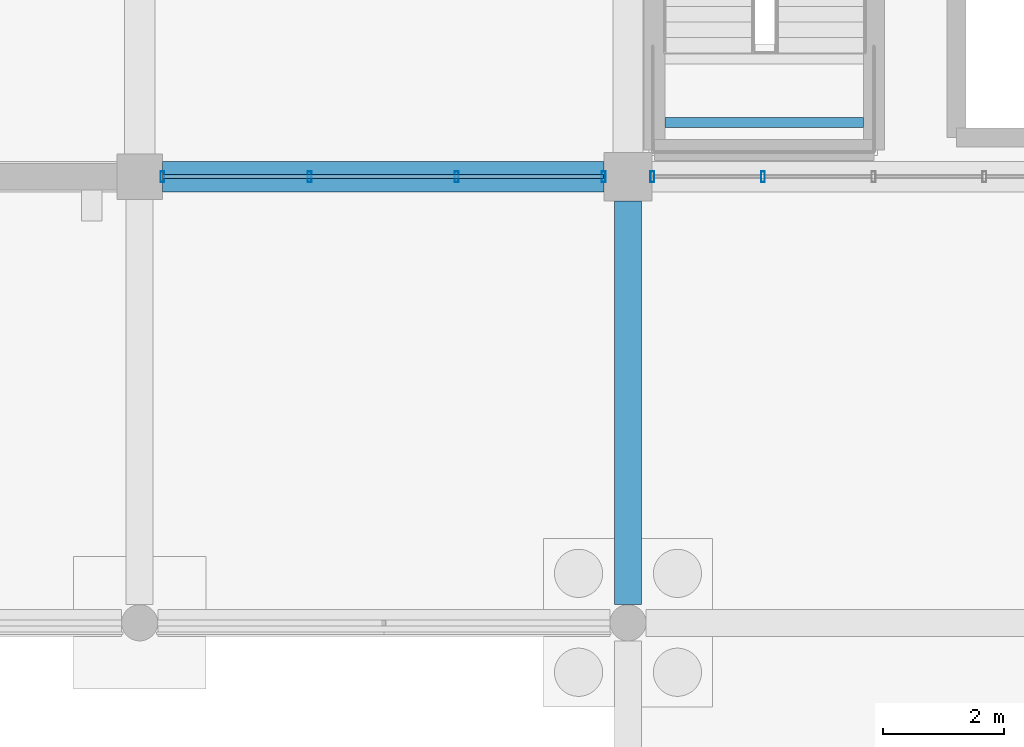
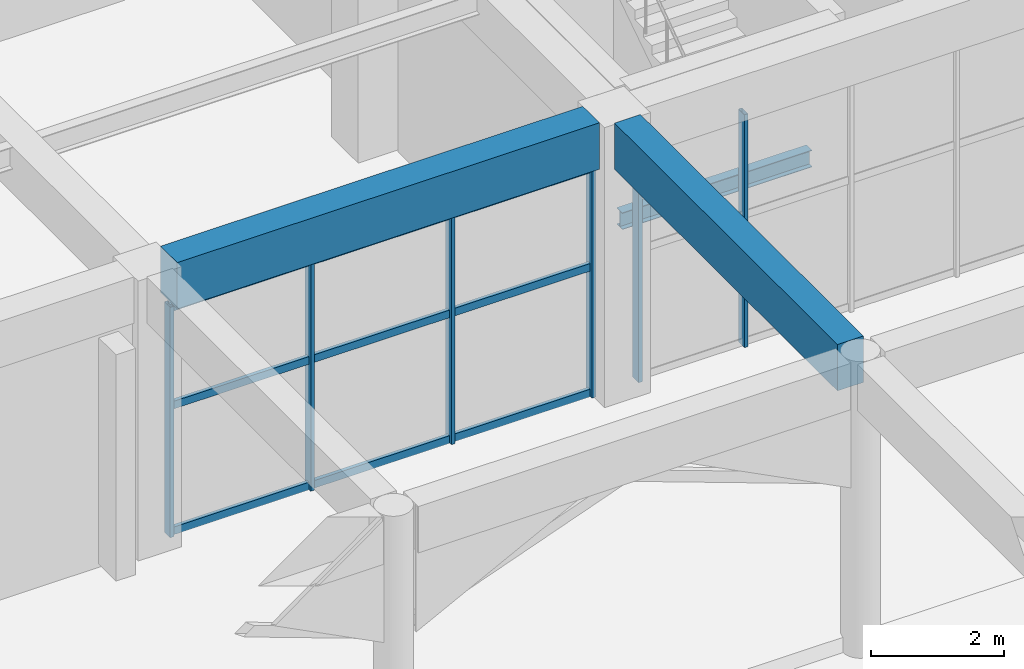
# One storey, part 28 of 140: 9 members, 3 beams, 2 elements without a shape of their own.
"""IFC4 building model written with IfcOpenShell, lengths in metres."""

from ifc_helpers import new_model, si_unit, direction, frame, origin, origin_2d, place, context, subcontext, project, spatial, rectangle, hollow_rectangle, i_section, extrude, material, material_profile, profile_set, type_object, element, aggregate, save


model = new_model("IFC4")

# Units and contexts
model_context = context("Model", 3, precision=1e-05, world=origin(), true_north=direction((0.0, 1.0)))
body_context = subcontext(model_context, "Body", "Model", "MODEL_VIEW")
ifc_project = project(units=[si_unit("LENGTHUNIT", "METRE"), si_unit("AREAUNIT", "SQUARE_METRE"), si_unit("VOLUMEUNIT", "CUBIC_METRE"), si_unit("PLANEANGLEUNIT", "RADIAN"), si_unit("MASSUNIT", "GRAM", prefix="KILO")], contexts=[model_context])

# Site, building, storey
site_placement = place(None, origin())
site = spatial("IfcSite", under=ifc_project, at=site_placement, CompositionType="ELEMENT")
building_placement = place(site_placement, origin())
building = spatial("IfcBuilding", under=site, at=building_placement, Name="Cimatlan Art Gallery", CompositionType="ELEMENT")
storey_placement = place(building_placement, origin())
storey = spatial("IfcBuildingStorey", under=building, at=storey_placement, Name="L00", CompositionType="ELEMENT", Elevation=0.0)

# Beams
ifc_material_1 = material(Name="Concrete C40/50", Category="concrete")
ifc_material_profile_1 = material_profile(ifc_material_1, rectangle(XDim=0.449951171875, YDim=0.85009765625, at=origin_2d()), Name="RC450X850")
ifc_profile_set_1 = profile_set([ifc_material_profile_1], Name="Concrete C40/50")
beam_type_1 = type_object("IfcBeamType", Name="BM-ARC-450X850", PredefinedType="SPANDREL", material=ifc_profile_set_1)
beam_1_placement = place(storey_placement, frame((74.89990234375, 16.800048828125, 4.735107421875), z_axis=(0.0, 1.0, 0.0), x_axis=(-1.0, 0.0, 0.0)))
element("IfcBeam", 1, at=beam_1_placement, inside=storey, type_object=beam_type_1, Name="BM-ARC-Y-09-02", PredefinedType="SPANDREL", context=body_context, shape_type="SweptSolid", body=[
    extrude(rectangle(XDim=0.449951171875, YDim=0.85009765625, at=origin_2d()), origin(), (0.0, 0.0, 1.0), 6.699951171875),
])
ifc_material_profile_2 = material_profile(ifc_material_1, rectangle(XDim=0.5, YDim=0.85009765625, at=origin_2d()), Name="RC500X850")
ifc_profile_set_2 = profile_set([ifc_material_profile_2], Name="Concrete C40/50")
beam_type_2 = type_object("IfcBeamType", Name="BM-RC-500X850", PredefinedType="BEAM", material=ifc_profile_set_2)
beam_2_placement = place(storey_placement, frame((67.175048828125, 23.89990234375, 4.7099609375), z_axis=(1.0, 0.0, 0.0), x_axis=(0.0, 1.0, 0.0)))
element("IfcBeam", 2, at=beam_2_placement, inside=storey, type_object=beam_type_2, Name="BM-X-L00-08-03", PredefinedType="BEAM", context=body_context, shape_type="SweptSolid", body=[
    extrude(rectangle(XDim=0.5, YDim=0.85009765625, at=origin_2d()), origin(), (0.0, 0.0, 1.0), 7.324951171875),
])
ifc_material_2 = material(Name="Steel ASTM A992 Grade 50", Category="steel")
ifc_material_profile_3 = material_profile(ifc_material_2, i_section(OverallWidth=0.1650390625, OverallDepth=0.31005859375, WebThickness=0.005859375, FlangeThickness=0.009765625, at=origin_2d()), Name="W12X26")
ifc_profile_set_3 = profile_set([ifc_material_profile_3], Name="Steel ASTM A992 Grade 50")
beam_type_3 = type_object("IfcBeamType", Name="BM-STL-W12X26", PredefinedType="JOIST", material=ifc_profile_set_3)
beam_3_placement = place(storey_placement, frame((75.514892578125, 24.800048828125, 2.324951171875), z_axis=(1.0, 0.0, 0.0), x_axis=(0.0, 1.0, 0.0)))
element("IfcBeam", 3, at=beam_3_placement, inside=storey, type_object=beam_type_3, Name="BM-STR-C3-L00-LH1", PredefinedType="JOIST", context=body_context, shape_type="SweptSolid", body=[
    extrude(i_section(OverallWidth=0.1650390625, OverallDepth=0.31005859375, WebThickness=0.005859375, FlangeThickness=0.009765625, at=origin_2d()), origin(), (0.0, 0.0, 1.0), 3.2900390625),
])

# Curtain wall, members
ifc_material_3 = material(Name="Anodised bronze unitised curtain wall")
curtain_wall_type_1 = type_object("IfcCurtainWallType", Name="CW-V-07317X04225-B3", PredefinedType="NOTDEFINED", material=ifc_material_3)
curtain_wall_1_placement = place(storey_placement, origin())
curtain_wall_1 = element("IfcCurtainWall", 4, at=curtain_wall_1_placement, inside=storey, type_object=curtain_wall_type_1, Name="CW-L00-08-03-S", PredefinedType="NOTDEFINED")
ifc_material_4 = material(Name="Anodised bronze aluminium 6063-T6", Category="aluminium")
ifc_material_profile_4 = material_profile(ifc_material_4, hollow_rectangle(XDim=0.06494140625, YDim=0.179931640625, WallThickness=0.00390625, at=origin_2d()), Name="ALU65X180X4")
ifc_profile_set_4 = profile_set([ifc_material_profile_4], Name="Anodised bronze aluminium 6063-T6")
member_type_1 = type_object("IfcMemberType", Name="CW-MUL-180", PredefinedType="MULLION", material=ifc_profile_set_4)
member_1_placement = place(storey_placement, frame((74.49609375, 23.89990234375, 0.0), z_axis=(0.0, 0.0, 1.0), x_axis=(1.0, 0.0, 0.0)))
member_1 = element("IfcMember", 5, at=member_1_placement, type_object=member_type_1, Name="CW-L00-08-03-S-M1", PredefinedType="MULLION", context=body_context, shape_type="SweptSolid", body=[
    extrude(hollow_rectangle(XDim=0.06494140625, YDim=0.179931640625, WallThickness=0.00390625, at=origin_2d()), origin(), (0.0, 0.0, 1.0), 4.22509765625),
])
member_2_placement = place(storey_placement, frame((72.056884765625, 23.89990234375, 0.0), z_axis=(0.0, 0.0, 1.0), x_axis=(1.0, 0.0, 0.0)))
member_2 = element("IfcMember", 6, at=member_2_placement, type_object=member_type_1, Name="CW-L00-08-03-S-M2", PredefinedType="MULLION", context=body_context, shape_type="SweptSolid", body=[
    extrude(hollow_rectangle(XDim=0.06494140625, YDim=0.179931640625, WallThickness=0.00390625, at=origin_2d()), origin(), (0.0, 0.0, 1.0), 4.22509765625),
])
member_3_placement = place(storey_placement, frame((69.617919921875, 23.89990234375, 0.0), z_axis=(0.0, 0.0, 1.0), x_axis=(1.0, 0.0, 0.0)))
member_3 = element("IfcMember", 7, at=member_3_placement, type_object=member_type_1, Name="CW-L00-08-03-S-M3", PredefinedType="MULLION", context=body_context, shape_type="SweptSolid", body=[
    extrude(hollow_rectangle(XDim=0.06494140625, YDim=0.179931640625, WallThickness=0.00390625, at=origin_2d()), origin(), (0.0, 0.0, 1.0), 4.22509765625),
])
member_4_placement = place(storey_placement, frame((67.178955078125, 23.89990234375, 0.0), z_axis=(0.0, 0.0, 1.0), x_axis=(1.0, 0.0, 0.0)))
member_4 = element("IfcMember", 8, at=member_4_placement, type_object=member_type_1, Name="CW-L00-08-03-S-M4", PredefinedType="MULLION", context=body_context, shape_type="SweptSolid", body=[
    extrude(hollow_rectangle(XDim=0.06494140625, YDim=0.179931640625, WallThickness=0.00390625, at=origin_2d()), origin(), (0.0, 0.0, 1.0), 4.22509765625),
])

curtain_wall_type_2 = type_object("IfcCurtainWallType", Name="CW-V-07342X04270-B4", PredefinedType="NOTDEFINED", material=ifc_material_3)
curtain_wall_2_placement = place(storey_placement, origin())
curtain_wall_2 = element("IfcCurtainWall", 9, at=curtain_wall_2_placement, inside=storey, type_object=curtain_wall_type_2, Name="CW-L00-09-03-S", PredefinedType="NOTDEFINED")
member_5_placement = place(storey_placement, frame((77.139404296875, 23.89990234375, 0.0), z_axis=(0.0, 0.0, 1.0), x_axis=(1.0, 0.0, 0.0)))
member_5 = element("IfcMember", 10, at=member_5_placement, type_object=member_type_1, Name="CW-L00-09-03-S-M4", PredefinedType="MULLION", context=body_context, shape_type="SweptSolid", body=[
    extrude(hollow_rectangle(XDim=0.06494140625, YDim=0.179931640625, WallThickness=0.00390625, at=origin_2d()), origin(), (0.0, 0.0, 1.0), 4.27001953125),
])
member_6_placement = place(storey_placement, frame((75.303955078125, 23.89990234375, 0.0), z_axis=(0.0, 0.0, 1.0), x_axis=(1.0, 0.0, 0.0)))
member_6 = element("IfcMember", 11, at=member_6_placement, type_object=member_type_1, Name="CW-L00-09-03-S-M5", PredefinedType="MULLION", context=body_context, shape_type="SweptSolid", body=[
    extrude(hollow_rectangle(XDim=0.06494140625, YDim=0.179931640625, WallThickness=0.00390625, at=origin_2d()), origin(), (0.0, 0.0, 1.0), 4.27001953125),
])
aggregate(curtain_wall_2, [member_5, member_6])

# Member
ifc_material_profile_5 = material_profile(ifc_material_4, hollow_rectangle(XDim=0.06494140625, YDim=0.139892578125, WallThickness=0.00390625, at=origin_2d()), Name="ALU65X140X4")
ifc_profile_set_5 = profile_set([ifc_material_profile_5], Name="Anodised bronze aluminium 6063-T6")
member_type_2 = type_object("IfcMemberType", Name="CW-TRN-140", PredefinedType="USERDEFINED", material=ifc_profile_set_5)
member_7_placement = place(storey_placement, frame((74.49609375, 23.89990234375, 0.06005859375), z_axis=(-1.0, 0.0, 0.0), x_axis=(0.0, -1.0, 0.0)))
member_7 = element("IfcMember", 12, at=member_7_placement, type_object=member_type_2, Name="CW-L00-08-03-S-T1", ObjectType="TRANSOM", PredefinedType="USERDEFINED", context=body_context, shape_type="SweptSolid", body=[
    extrude(hollow_rectangle(XDim=0.06494140625, YDim=0.139892578125, WallThickness=0.00390625, at=origin_2d()), origin(), (0.0, 0.0, 1.0), 7.317138671875),
])

member_8_placement = place(storey_placement, frame((74.49609375, 23.89990234375, 2.365966796875), z_axis=(-1.0, 0.0, 0.0), x_axis=(0.0, -1.0, 0.0)))
member_8 = element("IfcMember", 13, at=member_8_placement, type_object=member_type_2, Name="CW-L00-08-03-S-T2", ObjectType="TRANSOM", PredefinedType="USERDEFINED", context=body_context, shape_type="SweptSolid", body=[
    extrude(hollow_rectangle(XDim=0.06494140625, YDim=0.139892578125, WallThickness=0.00390625, at=origin_2d()), origin(), (0.0, 0.0, 1.0), 7.317138671875),
])

member_9_placement = place(storey_placement, frame((74.49609375, 23.89990234375, 4.1650390625), z_axis=(-1.0, 0.0, 0.0), x_axis=(0.0, -1.0, 0.0)))
member_9 = element("IfcMember", 14, at=member_9_placement, type_object=member_type_2, Name="CW-L00-08-03-S-T3", ObjectType="TRANSOM", PredefinedType="USERDEFINED", context=body_context, shape_type="SweptSolid", body=[
    extrude(hollow_rectangle(XDim=0.06494140625, YDim=0.139892578125, WallThickness=0.00390625, at=origin_2d()), origin(), (0.0, 0.0, 1.0), 7.317138671875),
])

aggregate(curtain_wall_1, [member_1, member_2, member_3, member_4, member_7, member_8, member_9])

save(model, "model.ifc")
